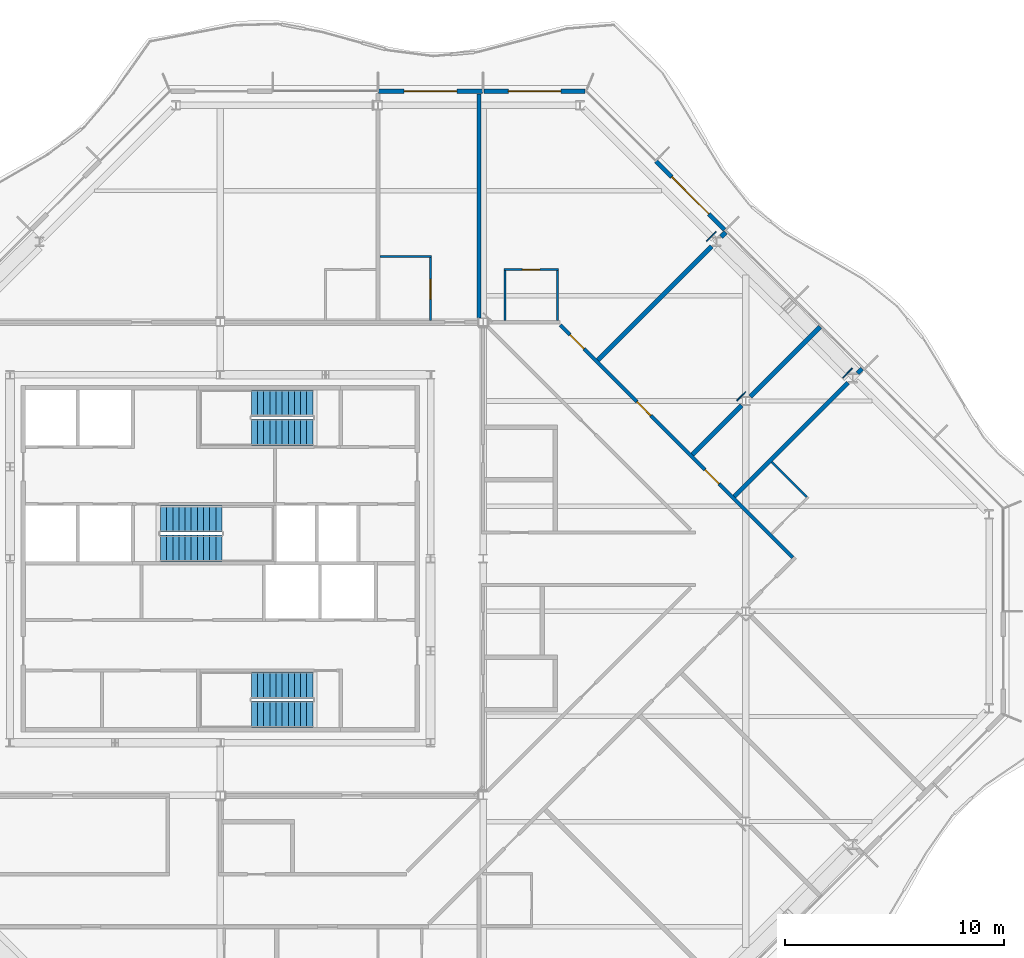
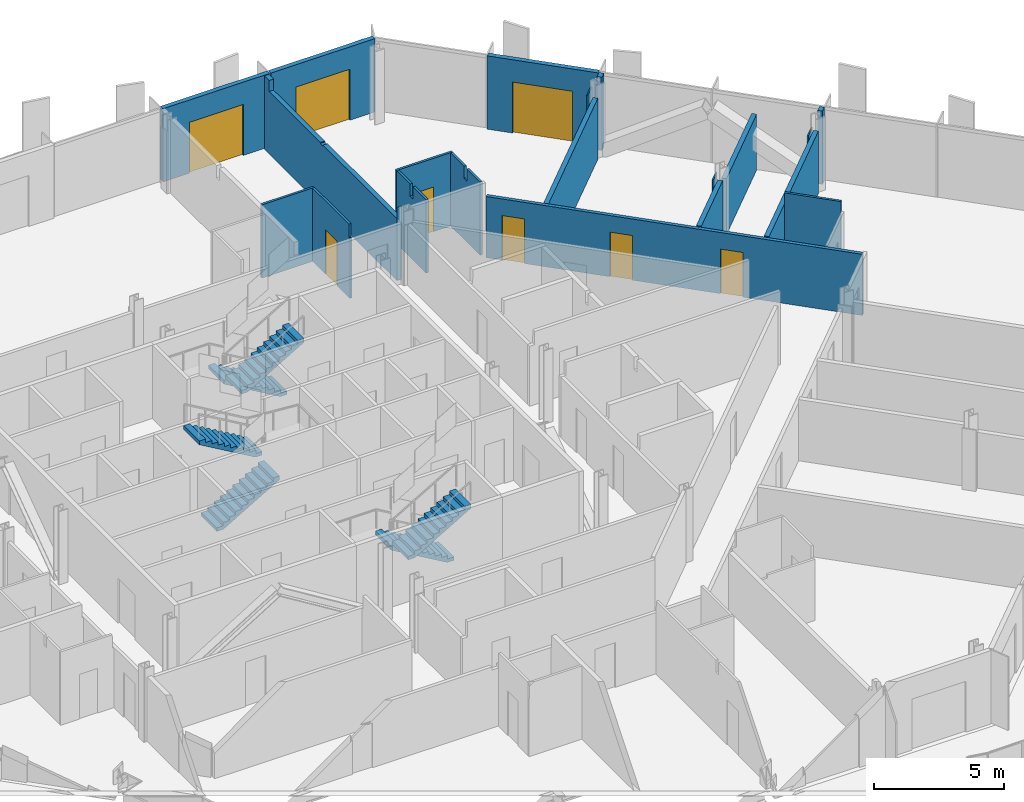
# One storey, part 12 of 17: 20 walls, 8 doors, 6 stair flights, 8 openings, 3 elements without a shape of their own.
"""IFC4 building model written with IfcOpenShell, lengths in metres."""

from ifc_helpers import new_model, si_unit, direction, frame, frame_2d, origin, place, context, subcontext, project, spatial, polyline, rectangle, outline, extrude, material, layer, layer_set, type_object, element, fill, aggregate, save


model = new_model("IFC4")

# Units and contexts
model_context = context("Model", 3, precision=1e-05, world=origin(), true_north=direction((0.0, 1.0)))
body_context = subcontext(model_context, "Body", "Model", "MODEL_VIEW")
ifc_project = project(units=[si_unit("LENGTHUNIT", "METRE"), si_unit("AREAUNIT", "SQUARE_METRE"), si_unit("VOLUMEUNIT", "CUBIC_METRE"), si_unit("PLANEANGLEUNIT", "RADIAN"), si_unit("MASSUNIT", "GRAM", prefix="KILO")], contexts=[model_context])

# Site, building, storey
site_placement = place(None, origin())
site = spatial("IfcSite", under=ifc_project, at=site_placement, CompositionType="ELEMENT")
building_placement = place(site_placement, origin())
building = spatial("IfcBuilding", under=site, at=building_placement, Name="Cairn Pilgrim Tower", CompositionType="ELEMENT")
storey_placement = place(building_placement, frame((0.0, 0.0, 225.0)))
storey = spatial("IfcBuildingStorey", under=building, at=storey_placement, Name="L57", CompositionType="ELEMENT", Elevation=225.0)

# Wall, opening, door
ifc_material_1 = material(Name="Bronze anodised aluminium insulated sandwich panel with mineral wool fill", Category="aluminium")
ifc_layer_1 = layer(ifc_material_1, 0.199951171875)
ifc_layer_set_1 = layer_set([ifc_layer_1], Name="BRONZE INFILL FRAME WALL 200")
wall_type_1 = type_object("IfcWallType", Name="BRONZE INFILL FRAME WALL 200", PredefinedType="NOTDEFINED", material=ifc_layer_set_1)
wall_1_placement = place(storey_placement, frame((30.226318359375, 17.419921875, 0.0), z_axis=(0.0, 0.0, 1.0), x_axis=(-0.707079231393, 0.707134329907, 0.0)))
wall_1 = element("IfcWall", 1, at=wall_1_placement, inside=storey, type_object=wall_type_1, Name="Bronze infill frame wall IW-NE5", PredefinedType="NOTDEFINED", context=body_context, shape_type="SweptSolid", body=[
    extrude(rectangle(XDim=4.430908203125, YDim=0.199951171875, at=frame_2d((2.21533203125, 0.0))), origin(), (0.0, 0.0, 1.0), 3.449951171875),
])
opening_1_placement = place(wall_1_placement, frame((1.01513671875, 0.0, 0.0)))
opening_1 = element("IfcOpeningElement", 2, at=opening_1_placement, cuts=wall_1, Name="Opening 5708B2", PredefinedType="OPENING", context=body_context, shape_type="SweptSolid", body=[
    extrude(rectangle(XDim=2.39990234375, YDim=2.39990234375, at=frame_2d((1.199951171875, 1.199951171875))), frame((0.0, 0.10986328125, 0.0), z_axis=(0.0, -1.0, 0.0), x_axis=(1.0, 0.0, 0.0)), (0.0, 0.0, 1.0), 0.219970703125),
])
ifc_material_2 = material(Name="Bronze anodised aluminium frame with tinted low-E glass", Category="aluminium")
door_type_1 = type_object("IfcDoorType", Name="BALCONY SLIDING DOOR 2400x2400", OperationType="DOUBLE_DOOR_SLIDING", PredefinedType="DOOR", material=ifc_material_2)
door_1_placement = place(opening_1_placement, origin())
door_1 = element("IfcDoor", 3, at=door_1_placement, inside=storey, type_object=door_type_1, Name="Balcony sliding door 5708B2", OperationType="SINGLE_SWING_LEFT", OverallHeight=2.39990234375, OverallWidth=2.39990234375, PredefinedType="DOOR", context=body_context, shape_type="SweptSolid", body=[
    extrude(rectangle(XDim=2.39990234375, YDim=2.39990234375, at=frame_2d((1.199951171875, 1.199951171875))), frame((0.0, 0.02490234375, 0.0), z_axis=(0.0, -1.0, 0.0), x_axis=(1.0, 0.0, 0.0)), (0.0, 0.0, 1.0), 0.050048828125),
])
fill(opening_1, door_1)

wall_2_placement = place(storey_placement, frame((23.8564453125, 23.75, 0.0), z_axis=(0.0, 0.0, 1.0), x_axis=(-1.0, 0.0, 0.0)))
wall_2 = element("IfcWall", 4, at=wall_2_placement, inside=storey, type_object=wall_type_1, Name="Bronze infill frame wall IW-N1", PredefinedType="NOTDEFINED", context=body_context, shape_type="SweptSolid", body=[
    extrude(rectangle(XDim=4.62646484375, YDim=0.199951171875, at=frame_2d((2.313232421875, 0.0))), origin(), (0.0, 0.0, 1.0), 3.449951171875),
])
opening_2_placement = place(wall_2_placement, frame((1.1083984375, 0.0, 0.0)))
opening_2 = element("IfcOpeningElement", 5, at=opening_2_placement, cuts=wall_2, Name="Opening 5708B", PredefinedType="OPENING", context=body_context, shape_type="SweptSolid", body=[
    extrude(rectangle(XDim=2.39990234375, YDim=2.39990234375, at=frame_2d((1.199951171875, 1.199951171875))), frame((0.0, 0.10986328125, 0.0), z_axis=(0.0, -1.0, 0.0), x_axis=(1.0, 0.0, 0.0)), (0.0, 0.0, 1.0), 0.219970703125),
])
door_2_placement = place(opening_2_placement, origin())
door_2 = element("IfcDoor", 6, at=door_2_placement, inside=storey, type_object=door_type_1, Name="Balcony sliding door 5708B", OperationType="SINGLE_SWING_LEFT", OverallHeight=2.39990234375, OverallWidth=2.39990234375, PredefinedType="DOOR", context=body_context, shape_type="SweptSolid", body=[
    extrude(rectangle(XDim=2.39990234375, YDim=2.39990234375, at=frame_2d((1.199951171875, 1.199951171875))), frame((0.0, 0.02490234375, 0.0), z_axis=(0.0, -1.0, 0.0), x_axis=(1.0, 0.0, 0.0)), (0.0, 0.0, 1.0), 0.050048828125),
])
fill(opening_2, door_2)

wall_3_placement = place(storey_placement, frame((19.169921875, 23.75, 0.0), z_axis=(0.0, 0.0, 1.0), x_axis=(-1.0, 0.0, 0.0)))
wall_3 = element("IfcWall", 7, at=wall_3_placement, inside=storey, type_object=wall_type_1, Name="Bronze infill frame wall IW-N2", PredefinedType="NOTDEFINED", context=body_context, shape_type="SweptSolid", body=[
    extrude(rectangle(XDim=4.739990234375, YDim=0.199951171875, at=frame_2d((2.3701171875, 0.0))), origin(), (0.0, 0.0, 1.0), 3.449951171875),
])
opening_3_placement = place(wall_3_placement, frame((1.17041015625, 0.0, 0.0)))
opening_3 = element("IfcOpeningElement", 8, at=opening_3_placement, cuts=wall_3, Name="Opening 5709B", PredefinedType="OPENING", context=body_context, shape_type="SweptSolid", body=[
    extrude(rectangle(XDim=2.39990234375, YDim=2.39990234375, at=frame_2d((1.199951171875, 1.199951171875))), frame((0.0, 0.10986328125, 0.0), z_axis=(0.0, -1.0, 0.0), x_axis=(1.0, 0.0, 0.0)), (0.0, 0.0, 1.0), 0.219970703125),
])
door_3_placement = place(opening_3_placement, origin())
door_3 = element("IfcDoor", 9, at=door_3_placement, inside=storey, type_object=door_type_1, Name="Balcony sliding door 5709B", OperationType="SINGLE_SWING_LEFT", OverallHeight=2.39990234375, OverallWidth=2.39990234375, PredefinedType="DOOR", context=body_context, shape_type="SweptSolid", body=[
    extrude(rectangle(XDim=2.39990234375, YDim=2.39990234375, at=frame_2d((1.199951171875, 1.199951171875))), frame((0.0, 0.02490234375, 0.0), z_axis=(0.0, -1.0, 0.0), x_axis=(1.0, 0.0, 0.0)), (0.0, 0.0, 1.0), 0.050048828125),
])
fill(opening_3, door_3)

# Wall
ifc_material_3 = material(Name="Gypsum partition")
ifc_layer_2 = layer(ifc_material_3, 0.10009765625)
ifc_layer_set_2 = layer_set([ifc_layer_2], Name="PARTITION 100 DRYWALL")
wall_type_2 = type_object("IfcWallType", Name="PARTITION 100 DRYWALL", PredefinedType="PARTITIONING", material=ifc_layer_set_2)
wall_4_placement = place(storey_placement, frame((33.967529296875, 5.220458984375, 0.0), z_axis=(0.0, 0.0, 1.0), x_axis=(-0.707106781187, 0.707106781187, 0.0)))
element("IfcWall", 10, at=wall_4_placement, inside=storey, type_object=wall_type_2, Name="PARTITION W056", PredefinedType="PARTITIONING", context=body_context, shape_type="SweptSolid", body=[
    extrude(rectangle(XDim=2.249755859375, YDim=0.10009765625, at=frame_2d((1.125, 0.0))), origin(), (0.0, 0.0, 1.0), 3.449951171875),
])

# Wall, opening, door
wall_5_placement = place(storey_placement, frame((16.800048828125, 13.27490234375, 0.0), z_axis=(0.0, 0.0, 1.0), x_axis=(0.0, 1.0, 0.0)))
wall_5 = element("IfcWall", 11, at=wall_5_placement, inside=storey, type_object=wall_type_2, Name="PARTITION W068", PredefinedType="PARTITIONING", context=body_context, shape_type="SweptSolid", body=[
    extrude(outline(polyline([(0.0, 0.0), (2.875, 0.0), (2.875, 3.449951171875), (0.074951171875, 3.449951171875), (0.072998046875, 2.830078125), (0.0, 2.830078125), (0.0, 0.0)])), frame((0.0, 0.050048828125, 0.0), z_axis=(0.0, -1.0, 0.0), x_axis=(1.0, 0.0, 0.0)), (0.0, 0.0, 1.0), 0.10009765625),
])
opening_4_placement = place(wall_5_placement, frame((0.97509765625, 0.0, 0.0)))
opening_4 = element("IfcOpeningElement", 12, at=opening_4_placement, cuts=wall_5, Name="Opening 5709A", PredefinedType="OPENING", context=body_context, shape_type="SweptSolid", body=[
    extrude(rectangle(XDim=0.89990234375, YDim=2.10009765625, at=frame_2d((0.449951171875, 1.050048828125))), frame((0.0, 0.06005859375, 0.0), z_axis=(0.0, -1.0, 0.0), x_axis=(1.0, 0.0, 0.0)), (0.0, 0.0, 1.0), 0.1201171875),
])
ifc_material_4 = material(Name="Timber door leaf", Category="wood")
door_type_2 = type_object("IfcDoorType", Name="WC DOOR 900x2100", OperationType="NOTDEFINED", PredefinedType="DOOR", material=ifc_material_4)
door_4_placement = place(opening_4_placement, frame((0.89990234375, 0.0, 0.0), z_axis=(0.0, 0.0, 1.0), x_axis=(-1.0, 0.0, 0.0)))
door_4 = element("IfcDoor", 13, at=door_4_placement, inside=storey, type_object=door_type_2, Name="DOOR 5709A", OperationType="SINGLE_SWING_LEFT", OverallHeight=2.10009765625, OverallWidth=0.89990234375, PredefinedType="DOOR", context=body_context, shape_type="SweptSolid", body=[
    extrude(rectangle(XDim=0.89990234375, YDim=2.10009765625, at=frame_2d((0.449951171875, 1.050048828125))), frame((0.0, 0.02490234375, 0.0), z_axis=(0.0, -1.0, 0.0), x_axis=(1.0, 0.0, 0.0)), (0.0, 0.0, 1.0), 0.050048828125),
])
fill(opening_4, door_4)

# Walls
for number, where, z_axis, x_axis, name in (
    (14, (20.194091796875, 13.27490234375, 0.0), (0.0, 0.0, 1.0), (0.0, 1.0, 0.0), "PARTITION W069"),
    (15, (22.593994140625, 13.27490234375, 0.0), (0.0, 0.0, 1.0), (0.0, 1.0, 0.0), "PARTITION W070"),
):
    element("IfcWall", number, at=place(storey_placement, frame(where, z_axis=z_axis, x_axis=x_axis)), inside=storey, type_object=wall_type_2, Name=name, PredefinedType="PARTITIONING", context=body_context, shape_type="SweptSolid", body=[
        extrude(outline(polyline([(0.0, 0.0), (2.275146484375, 0.0), (2.27490234375, 3.449951171875), (1.22998046875, 3.449951171875), (1.22802734375, 2.8798828125), (1.02001953125, 2.8798828125), (1.01806640625, 3.449951171875), (0.0, 3.449951171875), (0.0, 0.0)])), frame((0.0, 0.050048828125, 0.0), z_axis=(0.0, -1.0, 0.0), x_axis=(1.0, 0.0, 0.0)), (0.0, 0.0, 1.0), 0.10009765625),
    ])

# Wall, opening, door
wall_6_placement = place(storey_placement, frame((20.14404296875, 15.60009765625, 0.0), z_axis=(0.0, 0.0, 1.0), x_axis=(1.0, 0.0, 0.0)))
wall_6 = element("IfcWall", 16, at=wall_6_placement, inside=storey, type_object=wall_type_2, Name="PARTITION W073", PredefinedType="PARTITIONING", context=body_context, shape_type="SweptSolid", body=[
    extrude(rectangle(XDim=2.5, YDim=0.10009765625, at=frame_2d((1.25, 0.0))), origin(), (0.0, 0.0, 1.0), 3.449951171875),
])
opening_5_placement = place(wall_6_placement, frame((0.85009765625, 0.0, 0.0)))
opening_5 = element("IfcOpeningElement", 17, at=opening_5_placement, cuts=wall_6, Name="Opening 5708A", PredefinedType="OPENING", context=body_context, shape_type="SweptSolid", body=[
    extrude(rectangle(XDim=0.800048828125, YDim=2.10009765625, at=frame_2d((0.39990234375, 1.050048828125))), frame((0.0, 0.06005859375, 0.0), z_axis=(0.0, -1.0, 0.0), x_axis=(1.0, 0.0, 0.0)), (0.0, 0.0, 1.0), 0.1201171875),
])
door_type_3 = type_object("IfcDoorType", Name="WC DOOR 800x2100", OperationType="NOTDEFINED", PredefinedType="DOOR", material=ifc_material_4)
door_5_placement = place(opening_5_placement, origin())
door_5 = element("IfcDoor", 18, at=door_5_placement, inside=storey, type_object=door_type_3, Name="DOOR 5708A", OperationType="SINGLE_SWING_LEFT", OverallHeight=2.10009765625, OverallWidth=0.800048828125, PredefinedType="DOOR", context=body_context, shape_type="SweptSolid", body=[
    extrude(rectangle(XDim=0.800048828125, YDim=2.10009765625, at=frame_2d((0.39990234375, 1.050048828125))), frame((0.0, 0.02490234375, 0.0), z_axis=(0.0, -1.0, 0.0), x_axis=(1.0, 0.0, 0.0)), (0.0, 0.0, 1.0), 0.050048828125),
])
fill(opening_5, door_5)

# Wall
wall_7_placement = place(storey_placement, frame((14.5, 16.199951171875, 0.0), z_axis=(0.0, 0.0, 1.0), x_axis=(1.0, 0.0, 0.0)))
element("IfcWall", 19, at=wall_7_placement, inside=storey, type_object=wall_type_2, Name="PARTITION W074", PredefinedType="PARTITIONING", context=body_context, shape_type="SweptSolid", body=[
    extrude(rectangle(XDim=2.35009765625, YDim=0.10009765625, at=frame_2d((1.175048828125, 0.0))), origin(), (0.0, 0.0, 1.0), 3.449951171875),
])

# Wall, openings, doors
ifc_layer_3 = layer(ifc_material_3, 0.14990234375)
ifc_layer_set_3 = layer_set([ifc_layer_3], Name="PARTITION 150 DRYWALL EI 60")
wall_type_3 = type_object("IfcWallType", Name="PARTITION 150 DRYWALL EI 60", PredefinedType="PARTITIONING", material=ifc_layer_set_3)
wall_8_placement = place(storey_placement, frame((33.341064453125, 2.452880859375, 0.0), z_axis=(0.0, 0.0, 1.0), x_axis=(-0.707098652635, 0.707114909645, 0.0)))
wall_8 = element("IfcWall", 20, at=wall_8_placement, inside=storey, type_object=wall_type_3, Name="PARTITION W048", PredefinedType="PARTITIONING", context=body_context, shape_type="SweptSolid", body=[
    extrude(rectangle(XDim=15.017578125, YDim=0.14990234375, at=frame_2d((7.5087890625, 0.0))), origin(), (0.0, 0.0, 1.0), 2.8798828125),
])
opening_6_placement = place(wall_8_placement, frame((4.765625, 0.0, 0.0)))
opening_6 = element("IfcOpeningElement", 21, at=opening_6_placement, cuts=wall_8, Name="Opening 5706", PredefinedType="OPENING", context=body_context, shape_type="SweptSolid", body=[
    extrude(rectangle(XDim=0.89990234375, YDim=2.10009765625, at=frame_2d((0.449951171875, 1.050048828125))), frame((0.0, 0.0849609375, 0.0), z_axis=(0.0, -1.0, 0.0), x_axis=(1.0, 0.0, 0.0)), (0.0, 0.0, 1.0), 0.169921875),
])
opening_7_placement = place(wall_8_placement, frame((9.166748046875, 0.0, 0.0)))
opening_7 = element("IfcOpeningElement", 22, at=opening_7_placement, cuts=wall_8, Name="Opening 5707", PredefinedType="OPENING", context=body_context, shape_type="SweptSolid", body=[
    extrude(rectangle(XDim=0.89990234375, YDim=2.10009765625, at=frame_2d((0.449951171875, 1.050048828125))), frame((0.0, 0.0849609375, 0.0), z_axis=(0.0, -1.0, 0.0), x_axis=(1.0, 0.0, 0.0)), (0.0, 0.0, 1.0), 0.169921875),
])
opening_8_placement = place(wall_8_placement, frame((13.482421875, 0.0, 0.0)))
opening_8 = element("IfcOpeningElement", 23, at=opening_8_placement, cuts=wall_8, Name="Opening 5708", PredefinedType="OPENING", context=body_context, shape_type="SweptSolid", body=[
    extrude(rectangle(XDim=0.89990234375, YDim=2.10009765625, at=frame_2d((0.449951171875, 1.050048828125))), frame((0.0, 0.0849609375, 0.0), z_axis=(0.0, -1.0, 0.0), x_axis=(1.0, 0.0, 0.0)), (0.0, 0.0, 1.0), 0.169921875),
])
door_type_4 = type_object("IfcDoorType", Name="ROOM DOOR 900x2100 FD30S", OperationType="NOTDEFINED", PredefinedType="DOOR", material=ifc_material_4)
door_6_placement = place(opening_8_placement, frame((0.89990234375, 0.0, 0.0), z_axis=(0.0, 0.0, 1.0), x_axis=(-1.0, 0.0, 0.0)))
door_6 = element("IfcDoor", 24, at=door_6_placement, inside=storey, type_object=door_type_4, Name="DOOR 5708", OperationType="SINGLE_SWING_LEFT", OverallHeight=2.10009765625, OverallWidth=0.89990234375, PredefinedType="DOOR", context=body_context, shape_type="SweptSolid", body=[
    extrude(rectangle(XDim=0.89990234375, YDim=2.10009765625, at=frame_2d((0.449951171875, 1.050048828125))), frame((0.0, 0.02490234375, 0.0), z_axis=(0.0, -1.0, 0.0), x_axis=(1.0, 0.0, 0.0)), (0.0, 0.0, 1.0), 0.050048828125),
])
fill(opening_8, door_6)
door_type_5 = type_object("IfcDoorType", Name="SERVICE DOOR 900x2100 FD30S", OperationType="NOTDEFINED", PredefinedType="DOOR", material=ifc_material_4)
door_7_placement = place(opening_6_placement, frame((0.89990234375, 0.0, 0.0), z_axis=(0.0, 0.0, 1.0), x_axis=(-1.0, 0.0, 0.0)))
door_7 = element("IfcDoor", 25, at=door_7_placement, inside=storey, type_object=door_type_5, Name="DOOR 5706", OperationType="SINGLE_SWING_LEFT", OverallHeight=2.10009765625, OverallWidth=0.89990234375, PredefinedType="DOOR", context=body_context, shape_type="SweptSolid", body=[
    extrude(rectangle(XDim=0.89990234375, YDim=2.10009765625, at=frame_2d((0.449951171875, 1.050048828125))), frame((0.0, 0.02490234375, 0.0), z_axis=(0.0, -1.0, 0.0), x_axis=(1.0, 0.0, 0.0)), (0.0, 0.0, 1.0), 0.050048828125),
])
fill(opening_6, door_7)
door_8_placement = place(opening_7_placement, frame((0.89990234375, 0.0, 0.0), z_axis=(0.0, 0.0, 1.0), x_axis=(-1.0, 0.0, 0.0)))
door_8 = element("IfcDoor", 26, at=door_8_placement, inside=storey, type_object=door_type_5, Name="DOOR 5707", OperationType="SINGLE_SWING_LEFT", OverallHeight=2.10009765625, OverallWidth=0.89990234375, PredefinedType="DOOR", context=body_context, shape_type="SweptSolid", body=[
    extrude(rectangle(XDim=0.89990234375, YDim=2.10009765625, at=frame_2d((0.449951171875, 1.050048828125))), frame((0.0, 0.02490234375, 0.0), z_axis=(0.0, -1.0, 0.0), x_axis=(1.0, 0.0, 0.0)), (0.0, 0.0, 1.0), 0.050048828125),
])
fill(opening_7, door_8)

# Walls
ifc_layer_4 = layer(ifc_material_3, 0.050048828125)
ifc_layer_set_4 = layer_set([ifc_layer_4], Name="PARTITION 50 DRYWALL EI 60")
wall_type_4 = type_object("IfcWallType", Name="PARTITION 50 DRYWALL EI 60", PredefinedType="PARTITIONING", material=ifc_layer_set_4)
wall_9_placement = place(storey_placement, frame((35.626953125, 10.669189453125, 0.0), z_axis=(0.0, 0.0, 1.0), x_axis=(0.707307009627, 0.706906496032, 0.0)))
element("IfcWall", 27, at=wall_9_placement, inside=storey, type_object=wall_type_4, Name="COLUMN CASING WC19", PredefinedType="PARTITIONING", context=body_context, shape_type="SweptSolid", body=[
    extrude(rectangle(XDim=0.609619140625, YDim=0.050048828125, at=frame_2d((0.3046875, 0.0))), origin(), (0.0, 0.0, 1.0), 2.6298828125),
])
wall_10_placement = place(storey_placement, frame((30.786376953125, 9.61767578125, 0.0), z_axis=(0.0, 0.0, 1.0), x_axis=(0.707106781187, 0.707106781187, 0.0)))
element("IfcWall", 28, at=wall_10_placement, inside=storey, type_object=wall_type_4, Name="COLUMN CASING WC20", PredefinedType="PARTITIONING", context=body_context, shape_type="SweptSolid", body=[
    extrude(rectangle(XDim=0.56005859375, YDim=0.050048828125, at=frame_2d((0.280029296875, 0.0))), origin(), (0.0, 0.0, 1.0), 2.8798828125),
])
wall_11_placement = place(storey_placement, frame((29.40283203125, 16.893310546875, 0.0), z_axis=(0.0, 0.0, 1.0), x_axis=(0.706906496032, 0.707307009627, 0.0)))
element("IfcWall", 29, at=wall_11_placement, inside=storey, type_object=wall_type_4, Name="COLUMN CASING WC21", PredefinedType="PARTITIONING", context=body_context, shape_type="SweptSolid", body=[
    extrude(rectangle(XDim=0.609619140625, YDim=0.050048828125, at=frame_2d((0.3046875, 0.0))), origin(), (0.0, 0.0, 1.0), 2.929931640625),
])
ifc_layer_5 = layer(ifc_material_3, 0.199951171875)
ifc_layer_set_5 = layer_set([ifc_layer_5], Name="SHAFT WALL 200 GYPSUM EI 60")
wall_type_5 = type_object("IfcWallType", Name="SHAFT WALL 200 GYPSUM EI 60", PredefinedType="PARTITIONING", material=ifc_layer_set_5)
wall_12_placement = place(storey_placement, frame((30.662109375, 5.238037109375, 0.0), z_axis=(0.0, 0.0, 1.0), x_axis=(0.707106781187, 0.707106781187, 0.0)))
element("IfcWall", 30, at=wall_12_placement, inside=storey, type_object=wall_type_5, Name="PARTITION W055", PredefinedType="PARTITIONING", context=body_context, shape_type="SweptSolid", body=[
    extrude(rectangle(XDim=7.35107421875, YDim=0.199951171875, at=frame_2d((3.675537109375, 0.0))), origin(), (0.0, 0.0, 1.0), 2.929931640625),
])
wall_13_placement = place(storey_placement, frame((28.75, 7.14990234375, 0.0), z_axis=(0.0, 0.0, 1.0), x_axis=(0.7070684525, 0.707145107796, 0.0)))
element("IfcWall", 31, at=wall_13_placement, inside=storey, type_object=wall_type_5, Name="PARTITION W058", PredefinedType="PARTITIONING", context=body_context, shape_type="SweptSolid", body=[
    extrude(rectangle(XDim=3.184814453125, YDim=0.199951171875, at=frame_2d((1.59228515625, 0.0))), origin(), (0.0, 0.0, 1.0), 2.929931640625),
])
wall_14_placement = place(storey_placement, frame((31.39794921875, 9.798095703125, 0.0), z_axis=(0.0, 0.0, 1.0), x_axis=(0.707133900936, 0.707079660397, 0.0)))
element("IfcWall", 32, at=wall_14_placement, inside=storey, type_object=wall_type_5, Name="PARTITION W060", PredefinedType="PARTITIONING", context=body_context, shape_type="SweptSolid", body=[
    extrude(rectangle(XDim=4.5009765625, YDim=0.199951171875, at=frame_2d((2.25048828125, 0.0))), origin(), (0.0, 0.0, 1.0), 2.6298828125),
])
wall_15_placement = place(storey_placement, frame((36.291015625, 10.8671875, 0.0), z_axis=(0.0, 0.0, 1.0), x_axis=(0.707534423513, 0.706678880075, 0.0)))
element("IfcWall", 33, at=wall_15_placement, inside=storey, type_object=wall_type_5, Name="PARTITION W061", PredefinedType="PARTITIONING", context=body_context, shape_type="SweptSolid", body=[
    extrude(rectangle(XDim=0.285400390625, YDim=0.199951171875, at=frame_2d((0.142578125, 0.0))), origin(), (0.0, 0.0, 1.0), 3.449951171875),
])
wall_16_placement = place(storey_placement, frame((24.43798828125, 11.4619140625, 0.0), z_axis=(0.0, 0.0, 1.0), x_axis=(0.707090175614, 0.707123386369, 0.0)))
element("IfcWall", 34, at=wall_16_placement, inside=storey, type_object=wall_type_5, Name="PARTITION W062", PredefinedType="PARTITIONING", context=body_context, shape_type="SweptSolid", body=[
    extrude(rectangle(XDim=7.351318359375, YDim=0.199951171875, at=frame_2d((3.67578125, 0.0))), origin(), (0.0, 0.0, 1.0), 2.8798828125),
])
wall_17_placement = place(storey_placement, frame((19.013916015625, 13.396484375, 0.0), z_axis=(0.0, 0.0, 1.0), x_axis=(0.0, 1.0, 0.0)))
element("IfcWall", 35, at=wall_17_placement, inside=storey, type_object=wall_type_5, Name="PARTITION W071", PredefinedType="PARTITIONING", context=body_context, shape_type="SweptSolid", body=[
    extrude(outline(polyline([(0.0, 0.0), (10.2236328125, 0.0), (10.223388671875, 3.449951171875), (9.853515625, 3.449951171875), (9.8515625, 2.929931640625), (5.908447265625, 2.929931640625), (5.906494140625, 2.8798828125), (5.698486328125, 2.8798828125), (5.696533203125, 2.929931640625), (0.0029296875, 2.929931640625), (0.0009765625, 3.449951171875), (0.0, 3.449951171875), (0.0, 0.0)])), frame((0.0, 0.10009765625, 0.0), z_axis=(0.0, -1.0, 0.0), x_axis=(1.0, 0.0, 0.0)), (0.0, 0.0, 1.0), 0.199951171875),
])
wall_18_placement = place(storey_placement, frame((30.067138671875, 17.091064453125, 0.0), z_axis=(0.0, 0.0, 1.0), x_axis=(0.707106781187, 0.707106781187, 0.0)))
element("IfcWall", 36, at=wall_18_placement, inside=storey, type_object=wall_type_5, Name="PARTITION W075", PredefinedType="PARTITIONING", context=body_context, shape_type="SweptSolid", body=[
    extrude(rectangle(XDim=0.28515625, YDim=0.199951171875, at=frame_2d((0.142578125, 0.0))), origin(), (0.0, 0.0, 1.0), 3.449951171875),
])

# Stair, stair flights
ifc_material_5 = material(Name="Concrete C32/40", Category="concrete")
stair_type = type_object("IfcStairType", Name="EXIT STAIR 1200", PredefinedType="HALF_TURN_STAIR", material=ifc_material_5)
stair_1_placement = place(storey_placement, origin())
stair_1 = element("IfcStair", 37, at=stair_1_placement, inside=storey, type_object=stair_type, Name="L57 Exit Stair A", PredefinedType="HALF_TURN_STAIR")
stair_flight_type = type_object("IfcStairFlightType", Name="STAIR FLIGHT 1200", PredefinedType="STRAIGHT", material=ifc_material_5)
stair_flight_1_placement = place(storey_placement, frame((11.425048828125, -3.375, 0.0), z_axis=(0.0, 0.0, 1.0), x_axis=(-1.0, 0.0, 0.0)))
stair_flight_1 = element("IfcStairFlight", 38, at=stair_flight_1_placement, type_object=stair_flight_type, Name="ST-A flight 1", NumberOfRisers=11, NumberOfTreads=10, PredefinedType="STRAIGHT", RiserHeight=0.163636364, TreadLength=0.28, context=body_context, shape_type="SweptSolid", body=[
    extrude(outline(polyline([(0.0, 0.0), (0.0, 0.16357421875), (0.280029296875, 0.16357421875), (0.280029296875, 0.327392578125), (0.56005859375, 0.327392578125), (0.56005859375, 0.490966796875), (0.840087890625, 0.490966796875), (0.840087890625, 0.654541015625), (1.1201171875, 0.654541015625), (1.1201171875, 0.818115234375), (1.39990234375, 0.818115234375), (1.39990234375, 0.98193359375), (1.679931640625, 0.98193359375), (1.679931640625, 1.1455078125), (1.9599609375, 1.1455078125), (1.9599609375, 1.30908203125), (2.239990234375, 1.30908203125), (2.239990234375, 1.47265625), (2.52001953125, 1.47265625), (2.52001953125, 1.636474609375), (2.800048828125, 1.636474609375), (2.800048828125, 1.800048828125), (2.800048828125, 1.462646484375), (0.297119140625, 0.0), (0.0, 0.0)])), frame((0.0, 0.60009765625, 0.0), z_axis=(0.0, -1.0, 0.0), x_axis=(1.0, 0.0, 0.0)), (0.0, 0.0, 1.0), 1.199951171875),
])
stair_flight_2_placement = place(storey_placement, frame((8.625, -4.699951171875, 1.800048828125), z_axis=(0.0, 0.0, 1.0), x_axis=(1.0, 0.0, 0.0)))
stair_flight_2 = element("IfcStairFlight", 39, at=stair_flight_2_placement, type_object=stair_flight_type, Name="ST-A flight 2", NumberOfRisers=11, NumberOfTreads=10, PredefinedType="STRAIGHT", RiserHeight=0.163636364, TreadLength=0.28, context=body_context, shape_type="SweptSolid", body=[
    extrude(outline(polyline([(0.0, 0.0), (0.0, 0.16357421875), (0.280029296875, 0.16357421875), (0.280029296875, 0.327392578125), (0.56005859375, 0.327392578125), (0.56005859375, 0.490966796875), (0.840087890625, 0.490966796875), (0.840087890625, 0.654541015625), (1.1201171875, 0.654541015625), (1.1201171875, 0.818115234375), (1.39990234375, 0.818115234375), (1.39990234375, 0.98193359375), (1.679931640625, 0.98193359375), (1.679931640625, 1.1455078125), (1.9599609375, 1.1455078125), (1.9599609375, 1.30908203125), (2.239990234375, 1.30908203125), (2.239990234375, 1.47265625), (2.52001953125, 1.47265625), (2.52001953125, 1.636474609375), (2.800048828125, 1.636474609375), (2.800048828125, 1.800048828125), (2.800048828125, 1.462646484375), (0.297119140625, 0.0), (0.0, 0.0)])), frame((0.0, 0.60009765625, 0.0), z_axis=(0.0, -1.0, 0.0), x_axis=(1.0, 0.0, 0.0)), (0.0, 0.0, 1.0), 1.199951171875),
])
aggregate(stair_1, [stair_flight_1, stair_flight_2])

stair_2_placement = place(storey_placement, origin())
stair_2 = element("IfcStair", 40, at=stair_2_placement, inside=storey, type_object=stair_type, Name="L57 Exit Stair B", PredefinedType="HALF_TURN_STAIR")
stair_flight_3_placement = place(storey_placement, frame((4.47509765625, 2.875, 0.0), z_axis=(0.0, 0.0, 1.0), x_axis=(1.0, 0.0, 0.0)))
stair_flight_3 = element("IfcStairFlight", 41, at=stair_flight_3_placement, type_object=stair_flight_type, Name="ST-B flight 1", NumberOfRisers=11, NumberOfTreads=10, PredefinedType="STRAIGHT", RiserHeight=0.163636364, TreadLength=0.28, context=body_context, shape_type="SweptSolid", body=[
    extrude(outline(polyline([(0.0, 0.0), (0.0, 0.16357421875), (0.280029296875, 0.16357421875), (0.280029296875, 0.327392578125), (0.56005859375, 0.327392578125), (0.56005859375, 0.490966796875), (0.840087890625, 0.490966796875), (0.840087890625, 0.654541015625), (1.1201171875, 0.654541015625), (1.1201171875, 0.818115234375), (1.39990234375, 0.818115234375), (1.39990234375, 0.98193359375), (1.679931640625, 0.98193359375), (1.679931640625, 1.1455078125), (1.9599609375, 1.1455078125), (1.9599609375, 1.30908203125), (2.239990234375, 1.30908203125), (2.239990234375, 1.47265625), (2.52001953125, 1.47265625), (2.52001953125, 1.636474609375), (2.800048828125, 1.636474609375), (2.800048828125, 1.800048828125), (2.800048828125, 1.462646484375), (0.297119140625, 0.0), (0.0, 0.0)])), frame((0.0, 0.60009765625, 0.0), z_axis=(0.0, -1.0, 0.0), x_axis=(1.0, 0.0, 0.0)), (0.0, 0.0, 1.0), 1.199951171875),
])
stair_flight_4_placement = place(storey_placement, frame((7.27490234375, 4.22509765625, 1.800048828125), z_axis=(0.0, 0.0, 1.0), x_axis=(-1.0, 0.0, 0.0)))
stair_flight_4 = element("IfcStairFlight", 42, at=stair_flight_4_placement, type_object=stair_flight_type, Name="ST-B flight 2", NumberOfRisers=11, NumberOfTreads=10, PredefinedType="STRAIGHT", RiserHeight=0.163636364, TreadLength=0.28, context=body_context, shape_type="SweptSolid", body=[
    extrude(outline(polyline([(0.0, 0.0), (0.0, 0.16357421875), (0.280029296875, 0.16357421875), (0.280029296875, 0.327392578125), (0.56005859375, 0.327392578125), (0.56005859375, 0.490966796875), (0.840087890625, 0.490966796875), (0.840087890625, 0.654541015625), (1.1201171875, 0.654541015625), (1.1201171875, 0.818115234375), (1.39990234375, 0.818115234375), (1.39990234375, 0.98193359375), (1.679931640625, 0.98193359375), (1.679931640625, 1.1455078125), (1.9599609375, 1.1455078125), (1.9599609375, 1.30908203125), (2.239990234375, 1.30908203125), (2.239990234375, 1.47265625), (2.52001953125, 1.47265625), (2.52001953125, 1.636474609375), (2.800048828125, 1.636474609375), (2.800048828125, 1.800048828125), (2.800048828125, 1.462646484375), (0.297119140625, 0.0), (0.0, 0.0)])), frame((0.0, 0.60009765625, 0.0), z_axis=(0.0, -1.0, 0.0), x_axis=(1.0, 0.0, 0.0)), (0.0, 0.0, 1.0), 1.199951171875),
])
aggregate(stair_2, [stair_flight_3, stair_flight_4])

stair_3_placement = place(storey_placement, origin())
stair_3 = element("IfcStair", 43, at=stair_3_placement, inside=storey, type_object=stair_type, Name="L57 Exit Stair C", PredefinedType="HALF_TURN_STAIR")
stair_flight_5_placement = place(storey_placement, frame((11.425048828125, 9.5, 0.0), z_axis=(0.0, 0.0, 1.0), x_axis=(-1.0, 0.0, 0.0)))
stair_flight_5 = element("IfcStairFlight", 44, at=stair_flight_5_placement, type_object=stair_flight_type, Name="ST-C flight 1", NumberOfRisers=11, NumberOfTreads=10, PredefinedType="STRAIGHT", RiserHeight=0.163636364, TreadLength=0.28, context=body_context, shape_type="SweptSolid", body=[
    extrude(outline(polyline([(0.0, 0.0), (0.0, 0.16357421875), (0.280029296875, 0.16357421875), (0.280029296875, 0.327392578125), (0.56005859375, 0.327392578125), (0.56005859375, 0.490966796875), (0.840087890625, 0.490966796875), (0.840087890625, 0.654541015625), (1.1201171875, 0.654541015625), (1.1201171875, 0.818115234375), (1.39990234375, 0.818115234375), (1.39990234375, 0.98193359375), (1.679931640625, 0.98193359375), (1.679931640625, 1.1455078125), (1.9599609375, 1.1455078125), (1.9599609375, 1.30908203125), (2.239990234375, 1.30908203125), (2.239990234375, 1.47265625), (2.52001953125, 1.47265625), (2.52001953125, 1.636474609375), (2.800048828125, 1.636474609375), (2.800048828125, 1.800048828125), (2.800048828125, 1.462646484375), (0.297119140625, 0.0), (0.0, 0.0)])), frame((0.0, 0.60009765625, 0.0), z_axis=(0.0, -1.0, 0.0), x_axis=(1.0, 0.0, 0.0)), (0.0, 0.0, 1.0), 1.199951171875),
])
stair_flight_6_placement = place(storey_placement, frame((8.625, 8.175048828125, 1.800048828125), z_axis=(0.0, 0.0, 1.0), x_axis=(1.0, 0.0, 0.0)))
stair_flight_6 = element("IfcStairFlight", 45, at=stair_flight_6_placement, type_object=stair_flight_type, Name="ST-C flight 2", NumberOfRisers=11, NumberOfTreads=10, PredefinedType="STRAIGHT", RiserHeight=0.163636364, TreadLength=0.28, context=body_context, shape_type="SweptSolid", body=[
    extrude(outline(polyline([(0.0, 0.0), (0.0, 0.16357421875), (0.280029296875, 0.16357421875), (0.280029296875, 0.327392578125), (0.56005859375, 0.327392578125), (0.56005859375, 0.490966796875), (0.840087890625, 0.490966796875), (0.840087890625, 0.654541015625), (1.1201171875, 0.654541015625), (1.1201171875, 0.818115234375), (1.39990234375, 0.818115234375), (1.39990234375, 0.98193359375), (1.679931640625, 0.98193359375), (1.679931640625, 1.1455078125), (1.9599609375, 1.1455078125), (1.9599609375, 1.30908203125), (2.239990234375, 1.30908203125), (2.239990234375, 1.47265625), (2.52001953125, 1.47265625), (2.52001953125, 1.636474609375), (2.800048828125, 1.636474609375), (2.800048828125, 1.800048828125), (2.800048828125, 1.462646484375), (0.297119140625, 0.0), (0.0, 0.0)])), frame((0.0, 0.60009765625, 0.0), z_axis=(0.0, -1.0, 0.0), x_axis=(1.0, 0.0, 0.0)), (0.0, 0.0, 1.0), 1.199951171875),
])
aggregate(stair_3, [stair_flight_5, stair_flight_6])

save(model, "model.ifc")
